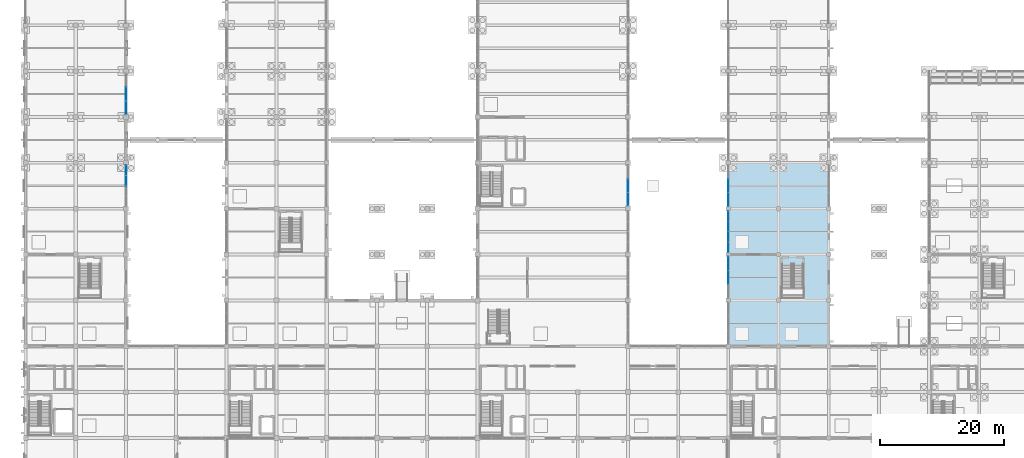
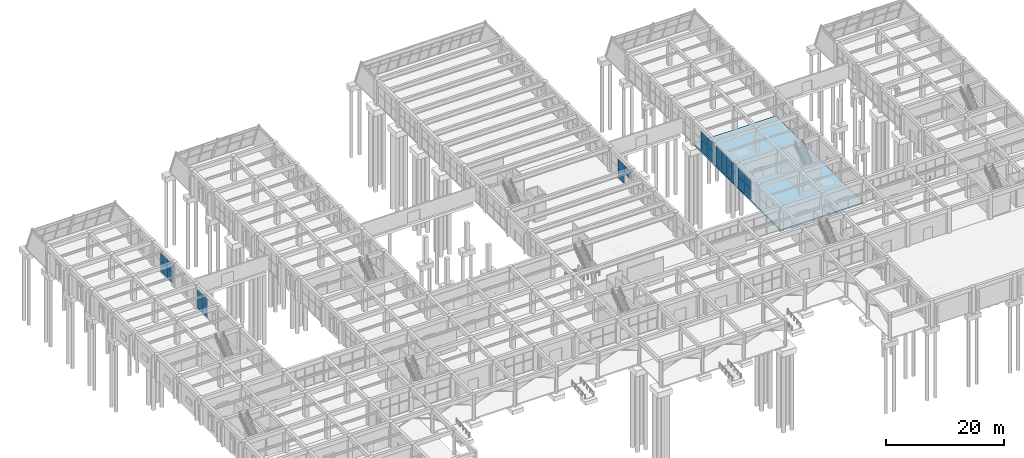
# One storey, part 114 of 140: 27 plates, 1 slab, 6 elements without a shape of their own.
"""IFC4 building model written with IfcOpenShell, lengths in metres."""

from ifc_helpers import new_model, si_unit, direction, frame, origin, origin_2d, place, context, subcontext, project, spatial, polyline, rectangle, outline, extrude, material, layer, layer_set, type_object, element, aggregate, save


model = new_model("IFC4")

# Units and contexts
model_context = context("Model", 3, precision=1e-05, world=origin(), true_north=direction((0.0, 1.0)))
body_context = subcontext(model_context, "Body", "Model", "MODEL_VIEW")
ifc_project = project(units=[si_unit("LENGTHUNIT", "METRE"), si_unit("AREAUNIT", "SQUARE_METRE"), si_unit("VOLUMEUNIT", "CUBIC_METRE"), si_unit("PLANEANGLEUNIT", "RADIAN"), si_unit("MASSUNIT", "GRAM", prefix="KILO")], contexts=[model_context])

# Site, building, storey
site_placement = place(None, origin())
site = spatial("IfcSite", under=ifc_project, at=site_placement, CompositionType="ELEMENT")
building_placement = place(site_placement, origin())
building = spatial("IfcBuilding", under=site, at=building_placement, Name="Cimatlan Art Gallery", CompositionType="ELEMENT")
storey_placement = place(building_placement, origin())
storey = spatial("IfcBuildingStorey", under=building, at=storey_placement, Name="L00", CompositionType="ELEMENT", Elevation=0.0)

# Curtain wall, plates
ifc_material_1 = material(Name="Anodised bronze unitised curtain wall")
curtain_wall_type_1 = type_object("IfcCurtainWallType", Name="CW-V-06642X04195-B4", PredefinedType="NOTDEFINED", material=ifc_material_1)
curtain_wall_1_placement = place(storey_placement, origin())
curtain_wall_1 = element("IfcCurtainWall", 1, at=curtain_wall_1_placement, inside=storey, type_object=curtain_wall_type_1, Name="CW-L00-01-08-E", PredefinedType="NOTDEFINED")
ifc_material_2 = material(Name="Low-E insulated double glazing", Category="glass")
ifc_layer_1 = layer(ifc_material_2, 0.028076171875)
ifc_layer_set_1 = layer_set([ifc_layer_1], Name="Low-E insulated double glazing")
plate_type_1 = type_object("IfcPlateType", Name="PNL-1603X1662", PredefinedType="CURTAIN_PANEL", material=ifc_layer_set_1)
plate_1_placement = place(storey_placement, frame((18.199951171875, 67.0908203125, 2.4111328125), z_axis=(0.0, 0.0, 1.0), x_axis=(0.0, -1.0, 0.0)))
plate_1 = element("IfcPlate", 2, at=plate_1_placement, type_object=plate_type_1, Name="CW-L00-01-08-E-P12", PredefinedType="CURTAIN_PANEL", context=body_context, shape_type="SweptSolid", body=[
    extrude(rectangle(XDim=1.60302734375, YDim=0.028076171875, at=origin_2d()), origin(), (0.0, 0.0, 1.0), 1.662109375),
])
plate_2_placement = place(storey_placement, frame((18.199951171875, 65.43017578125, 2.4111328125), z_axis=(0.0, 0.0, 1.0), x_axis=(0.0, -1.0, 0.0)))
plate_2 = element("IfcPlate", 3, at=plate_2_placement, type_object=plate_type_1, Name="CW-L00-01-08-E-P22", PredefinedType="CURTAIN_PANEL", context=body_context, shape_type="SweptSolid", body=[
    extrude(rectangle(XDim=1.60302734375, YDim=0.028076171875, at=origin_2d()), origin(), (0.0, 0.0, 1.0), 1.662109375),
])
ifc_layer_2 = layer(ifc_material_2, 0.028076171875)
ifc_layer_set_2 = layer_set([ifc_layer_2], Name="Low-E insulated double glazing")
plate_type_2 = type_object("IfcPlateType", Name="PNL-1603X2165", PredefinedType="CURTAIN_PANEL", material=ifc_layer_set_2)
plate_3_placement = place(storey_placement, frame((18.199951171875, 67.0908203125, 0.1220703125), z_axis=(0.0, 0.0, 1.0), x_axis=(0.0, -1.0, 0.0)))
plate_3 = element("IfcPlate", 4, at=plate_3_placement, type_object=plate_type_2, Name="CW-L00-01-08-E-P11", PredefinedType="CURTAIN_PANEL", context=body_context, shape_type="SweptSolid", body=[
    extrude(rectangle(XDim=1.60302734375, YDim=0.028076171875, at=origin_2d()), origin(), (0.0, 0.0, 1.0), 2.1650390625),
])
plate_4_placement = place(storey_placement, frame((18.199951171875, 65.43017578125, 0.1220703125), z_axis=(0.0, 0.0, 1.0), x_axis=(0.0, -1.0, 0.0)))
plate_4 = element("IfcPlate", 5, at=plate_4_placement, type_object=plate_type_2, Name="CW-L00-01-08-E-P21", PredefinedType="CURTAIN_PANEL", context=body_context, shape_type="SweptSolid", body=[
    extrude(rectangle(XDim=1.60302734375, YDim=0.028076171875, at=origin_2d()), origin(), (0.0, 0.0, 1.0), 2.1650390625),
])
aggregate(curtain_wall_1, [plate_3, plate_1, plate_4, plate_2])

curtain_wall_type_2 = type_object("IfcCurtainWallType", Name="CW-V-06692X04305-B4", PredefinedType="NOTDEFINED", material=ifc_material_1)
curtain_wall_2_placement = place(storey_placement, origin())
curtain_wall_2 = element("IfcCurtainWall", 6, at=curtain_wall_2_placement, inside=storey, type_object=curtain_wall_type_2, Name="CW-L00-14-07-W", PredefinedType="NOTDEFINED")
ifc_layer_3 = layer(ifc_material_2, 0.028076171875)
ifc_layer_set_3 = layer_set([ifc_layer_3], Name="Low-E insulated double glazing")
plate_type_3 = type_object("IfcPlateType", Name="PNL-1615X1710", PredefinedType="CURTAIN_PANEL", material=ifc_layer_set_3)
plate_5_placement = place(storey_placement, frame((115.39990234375, 54.6904296875, 2.472900390625), z_axis=(0.0, 0.0, 1.0), x_axis=(0.0, 1.0, 0.0)))
plate_5 = element("IfcPlate", 7, at=plate_5_placement, type_object=plate_type_3, Name="CW-L00-14-07-W-P12", PredefinedType="CURTAIN_PANEL", context=body_context, shape_type="SweptSolid", body=[
    extrude(rectangle(XDim=1.614990234375, YDim=0.028076171875, at=origin_2d()), origin(), (0.0, 0.0, 1.0), 1.7099609375),
])
plate_6_placement = place(storey_placement, frame((115.39990234375, 56.363525390625, 2.472900390625), z_axis=(0.0, 0.0, 1.0), x_axis=(0.0, 1.0, 0.0)))
plate_6 = element("IfcPlate", 8, at=plate_6_placement, type_object=plate_type_3, Name="CW-L00-14-07-W-P22", PredefinedType="CURTAIN_PANEL", context=body_context, shape_type="SweptSolid", body=[
    extrude(rectangle(XDim=1.614990234375, YDim=0.028076171875, at=origin_2d()), origin(), (0.0, 0.0, 1.0), 1.7099609375),
])
plate_7_placement = place(storey_placement, frame((115.39990234375, 58.03662109375, 2.472900390625), z_axis=(0.0, 0.0, 1.0), x_axis=(0.0, 1.0, 0.0)))
plate_7 = element("IfcPlate", 9, at=plate_7_placement, type_object=plate_type_3, Name="CW-L00-14-07-W-P32", PredefinedType="CURTAIN_PANEL", context=body_context, shape_type="SweptSolid", body=[
    extrude(rectangle(XDim=1.614990234375, YDim=0.028076171875, at=origin_2d()), origin(), (0.0, 0.0, 1.0), 1.7099609375),
])
plate_8_placement = place(storey_placement, frame((115.39990234375, 59.70947265625, 2.472900390625), z_axis=(0.0, 0.0, 1.0), x_axis=(0.0, 1.0, 0.0)))
plate_8 = element("IfcPlate", 10, at=plate_8_placement, type_object=plate_type_3, Name="CW-L00-14-07-W-P42", PredefinedType="CURTAIN_PANEL", context=body_context, shape_type="SweptSolid", body=[
    extrude(rectangle(XDim=1.614990234375, YDim=0.028076171875, at=origin_2d()), origin(), (0.0, 0.0, 1.0), 1.7099609375),
])
ifc_layer_4 = layer(ifc_material_2, 0.028076171875)
ifc_layer_set_4 = layer_set([ifc_layer_4], Name="Low-E insulated double glazing")
plate_type_4 = type_object("IfcPlateType", Name="PNL-1615X2227", PredefinedType="CURTAIN_PANEL", material=ifc_layer_set_4)
plate_9_placement = place(storey_placement, frame((115.39990234375, 54.6904296875, 0.121826171875), z_axis=(0.0, 0.0, 1.0), x_axis=(0.0, 1.0, 0.0)))
plate_9 = element("IfcPlate", 11, at=plate_9_placement, type_object=plate_type_4, Name="CW-L00-14-07-W-P11", PredefinedType="CURTAIN_PANEL", context=body_context, shape_type="SweptSolid", body=[
    extrude(rectangle(XDim=1.614990234375, YDim=0.028076171875, at=origin_2d()), origin(), (0.0, 0.0, 1.0), 2.22705078125),
])
plate_10_placement = place(storey_placement, frame((115.39990234375, 56.363525390625, 0.121826171875), z_axis=(0.0, 0.0, 1.0), x_axis=(0.0, 1.0, 0.0)))
plate_10 = element("IfcPlate", 12, at=plate_10_placement, type_object=plate_type_4, Name="CW-L00-14-07-W-P21", PredefinedType="CURTAIN_PANEL", context=body_context, shape_type="SweptSolid", body=[
    extrude(rectangle(XDim=1.614990234375, YDim=0.028076171875, at=origin_2d()), origin(), (0.0, 0.0, 1.0), 2.22705078125),
])
plate_11_placement = place(storey_placement, frame((115.39990234375, 58.03662109375, 0.121826171875), z_axis=(0.0, 0.0, 1.0), x_axis=(0.0, 1.0, 0.0)))
plate_11 = element("IfcPlate", 13, at=plate_11_placement, type_object=plate_type_4, Name="CW-L00-14-07-W-P31", PredefinedType="CURTAIN_PANEL", context=body_context, shape_type="SweptSolid", body=[
    extrude(rectangle(XDim=1.614990234375, YDim=0.028076171875, at=origin_2d()), origin(), (0.0, 0.0, 1.0), 2.22705078125),
])
plate_12_placement = place(storey_placement, frame((115.39990234375, 59.70947265625, 0.121826171875), z_axis=(0.0, 0.0, 1.0), x_axis=(0.0, 1.0, 0.0)))
plate_12 = element("IfcPlate", 14, at=plate_12_placement, type_object=plate_type_4, Name="CW-L00-14-07-W-P41", PredefinedType="CURTAIN_PANEL", context=body_context, shape_type="SweptSolid", body=[
    extrude(rectangle(XDim=1.614990234375, YDim=0.028076171875, at=origin_2d()), origin(), (0.0, 0.0, 1.0), 2.22705078125),
])
aggregate(curtain_wall_2, [plate_9, plate_5, plate_10, plate_6, plate_11, plate_7, plate_12, plate_8])

curtain_wall_type_3 = type_object("IfcCurtainWallType", Name="CW-V-06592X04118-B3", PredefinedType="NOTDEFINED", material=ifc_material_1)
curtain_wall_3_placement = place(storey_placement, origin())
curtain_wall_3 = element("IfcCurtainWall", 15, at=curtain_wall_3_placement, inside=storey, type_object=curtain_wall_type_3, Name="CW-L00-11-08-E", PredefinedType="NOTDEFINED")
ifc_layer_5 = layer(ifc_material_2, 0.028076171875)
ifc_layer_set_5 = layer_set([ifc_layer_5], Name="Low-E insulated double glazing")
plate_type_5 = type_object("IfcPlateType", Name="PNL-2139X1628", PredefinedType="CURTAIN_PANEL", material=ifc_layer_set_5)
plate_13_placement = place(storey_placement, frame((99.199951171875, 64.60009765625, 2.3681640625), z_axis=(0.0, 0.0, 1.0), x_axis=(0.0, -1.0, 0.0)))
plate_13 = element("IfcPlate", 16, at=plate_13_placement, type_object=plate_type_5, Name="CW-L00-11-08-E-P22", PredefinedType="CURTAIN_PANEL", context=body_context, shape_type="SweptSolid", body=[
    extrude(rectangle(XDim=2.138916015625, YDim=0.028076171875, at=origin_2d()), origin(), (0.0, 0.0, 1.0), 1.6279296875),
])
plate_14_placement = place(storey_placement, frame((99.199951171875, 62.402587890625, 2.3681640625), z_axis=(0.0, 0.0, 1.0), x_axis=(0.0, -1.0, 0.0)))
plate_14 = element("IfcPlate", 17, at=plate_14_placement, type_object=plate_type_5, Name="CW-L00-11-08-E-P32", PredefinedType="CURTAIN_PANEL", context=body_context, shape_type="SweptSolid", body=[
    extrude(rectangle(XDim=2.138916015625, YDim=0.028076171875, at=origin_2d()), origin(), (0.0, 0.0, 1.0), 1.6279296875),
])
ifc_layer_6 = layer(ifc_material_2, 0.028076171875)
ifc_layer_set_6 = layer_set([ifc_layer_6], Name="Low-E insulated double glazing")
plate_type_6 = type_object("IfcPlateType", Name="PNL-2139X2122", PredefinedType="CURTAIN_PANEL", material=ifc_layer_set_6)
plate_15_placement = place(storey_placement, frame((99.199951171875, 64.60009765625, 0.1220703125), z_axis=(0.0, 0.0, 1.0), x_axis=(0.0, -1.0, 0.0)))
plate_15 = element("IfcPlate", 18, at=plate_15_placement, type_object=plate_type_6, Name="CW-L00-11-08-E-P21", PredefinedType="CURTAIN_PANEL", context=body_context, shape_type="SweptSolid", body=[
    extrude(rectangle(XDim=2.138916015625, YDim=0.028076171875, at=origin_2d()), origin(), (0.0, 0.0, 1.0), 2.1220703125),
])
aggregate(curtain_wall_3, [plate_15, plate_13, plate_14])

curtain_wall_type_4 = type_object("IfcCurtainWallType", Name="CW-V-06642X04255-B3", PredefinedType="NOTDEFINED", material=ifc_material_1)
curtain_wall_4_placement = place(storey_placement, origin())
curtain_wall_4 = element("IfcCurtainWall", 19, at=curtain_wall_4_placement, inside=storey, type_object=curtain_wall_type_4, Name="CW-L00-01-10-E", PredefinedType="NOTDEFINED")
ifc_layer_7 = layer(ifc_material_2, 0.028076171875)
ifc_layer_set_7 = layer_set([ifc_layer_7], Name="Low-E insulated double glazing")
plate_type_7 = type_object("IfcPlateType", Name="PNL-2156X1688", PredefinedType="CURTAIN_PANEL", material=ifc_layer_set_7)
plate_16_placement = place(storey_placement, frame((18.199951171875, 79.39990234375, 2.44482421875), z_axis=(0.0, 0.0, 1.0), x_axis=(0.0, -1.0, 0.0)))
plate_16 = element("IfcPlate", 20, at=plate_16_placement, type_object=plate_type_7, Name="CW-L00-01-10-E-P22", PredefinedType="CURTAIN_PANEL", context=body_context, shape_type="SweptSolid", body=[
    extrude(rectangle(XDim=2.156005859375, YDim=0.028076171875, at=origin_2d()), origin(), (0.0, 0.0, 1.0), 1.68798828125),
])
plate_17_placement = place(storey_placement, frame((18.199951171875, 77.18603515625, 2.44482421875), z_axis=(0.0, 0.0, 1.0), x_axis=(0.0, -1.0, 0.0)))
plate_17 = element("IfcPlate", 21, at=plate_17_placement, type_object=plate_type_7, Name="CW-L00-01-10-E-P32", PredefinedType="CURTAIN_PANEL", context=body_context, shape_type="SweptSolid", body=[
    extrude(rectangle(XDim=2.156005859375, YDim=0.028076171875, at=origin_2d()), origin(), (0.0, 0.0, 1.0), 1.68798828125),
])
ifc_layer_8 = layer(ifc_material_2, 0.028076171875)
ifc_layer_set_8 = layer_set([ifc_layer_8], Name="Low-E insulated double glazing")
plate_type_8 = type_object("IfcPlateType", Name="PNL-2156X2199", PredefinedType="CURTAIN_PANEL", material=ifc_layer_set_8)
plate_18_placement = place(storey_placement, frame((18.199951171875, 79.39990234375, 0.1220703125), z_axis=(0.0, 0.0, 1.0), x_axis=(0.0, -1.0, 0.0)))
plate_18 = element("IfcPlate", 22, at=plate_18_placement, type_object=plate_type_8, Name="CW-L00-01-10-E-P21", PredefinedType="CURTAIN_PANEL", context=body_context, shape_type="SweptSolid", body=[
    extrude(rectangle(XDim=2.156005859375, YDim=0.028076171875, at=origin_2d()), origin(), (0.0, 0.0, 1.0), 2.198974609375),
])
plate_19_placement = place(storey_placement, frame((18.199951171875, 77.18603515625, 0.1220703125), z_axis=(0.0, 0.0, 1.0), x_axis=(0.0, -1.0, 0.0)))
plate_19 = element("IfcPlate", 23, at=plate_19_placement, type_object=plate_type_8, Name="CW-L00-01-10-E-P31", PredefinedType="CURTAIN_PANEL", context=body_context, shape_type="SweptSolid", body=[
    extrude(rectangle(XDim=2.156005859375, YDim=0.028076171875, at=origin_2d()), origin(), (0.0, 0.0, 1.0), 2.198974609375),
])
aggregate(curtain_wall_4, [plate_18, plate_16, plate_19, plate_17])

curtain_wall_type_5 = type_object("IfcCurtainWallType", Name="CW-V-06692X04290-B3", PredefinedType="NOTDEFINED", material=ifc_material_1)
curtain_wall_5_placement = place(storey_placement, origin())
curtain_wall_5 = element("IfcCurtainWall", 24, at=curtain_wall_5_placement, inside=storey, type_object=curtain_wall_type_5, Name="CW-L00-14-08-W", PredefinedType="NOTDEFINED")
ifc_layer_9 = layer(ifc_material_2, 0.028076171875)
ifc_layer_set_9 = layer_set([ifc_layer_9], Name="Low-E insulated double glazing")
plate_type_9 = type_object("IfcPlateType", Name="PNL-2173X1704", PredefinedType="CURTAIN_PANEL", material=ifc_layer_set_9)
plate_20_placement = place(storey_placement, frame((115.39990234375, 62.369384765625, 2.464111328125), z_axis=(0.0, 0.0, 1.0), x_axis=(0.0, 1.0, 0.0)))
plate_20 = element("IfcPlate", 25, at=plate_20_placement, type_object=plate_type_9, Name="CW-L00-14-08-W-P12", PredefinedType="CURTAIN_PANEL", context=body_context, shape_type="SweptSolid", body=[
    extrude(rectangle(XDim=2.173095703125, YDim=0.028076171875, at=origin_2d()), origin(), (0.0, 0.0, 1.0), 1.7041015625),
])
plate_21_placement = place(storey_placement, frame((115.39990234375, 64.60009765625, 2.464111328125), z_axis=(0.0, 0.0, 1.0), x_axis=(0.0, 1.0, 0.0)))
plate_21 = element("IfcPlate", 26, at=plate_21_placement, type_object=plate_type_9, Name="CW-L00-14-08-W-P22", PredefinedType="CURTAIN_PANEL", context=body_context, shape_type="SweptSolid", body=[
    extrude(rectangle(XDim=2.173095703125, YDim=0.028076171875, at=origin_2d()), origin(), (0.0, 0.0, 1.0), 1.7041015625),
])

curtain_wall_type_6 = type_object("IfcCurtainWallType", Name="CW-V-06692X04320-B3", PredefinedType="NOTDEFINED", material=ifc_material_1)
curtain_wall_6_placement = place(storey_placement, origin())
curtain_wall_6 = element("IfcCurtainWall", 27, at=curtain_wall_6_placement, inside=storey, type_object=curtain_wall_type_6, Name="CW-L00-14-06-W", PredefinedType="NOTDEFINED")
ifc_layer_10 = layer(ifc_material_2, 0.028076171875)
ifc_layer_set_10 = layer_set([ifc_layer_10], Name="Low-E insulated double glazing")
plate_type_10 = type_object("IfcPlateType", Name="PNL-2173X1717", PredefinedType="CURTAIN_PANEL", material=ifc_layer_set_10)
plate_22_placement = place(storey_placement, frame((115.39990234375, 49.800048828125, 2.48095703125), z_axis=(0.0, 0.0, 1.0), x_axis=(0.0, 1.0, 0.0)))
plate_22 = element("IfcPlate", 28, at=plate_22_placement, type_object=plate_type_10, Name="CW-L00-14-06-W-P22", PredefinedType="CURTAIN_PANEL", context=body_context, shape_type="SweptSolid", body=[
    extrude(rectangle(XDim=2.173095703125, YDim=0.028076171875, at=origin_2d()), origin(), (0.0, 0.0, 1.0), 1.717041015625),
])
plate_23_placement = place(storey_placement, frame((115.39990234375, 52.03076171875, 2.48095703125), z_axis=(0.0, 0.0, 1.0), x_axis=(0.0, 1.0, 0.0)))
plate_23 = element("IfcPlate", 29, at=plate_23_placement, type_object=plate_type_10, Name="CW-L00-14-06-W-P32", PredefinedType="CURTAIN_PANEL", context=body_context, shape_type="SweptSolid", body=[
    extrude(rectangle(XDim=2.173095703125, YDim=0.028076171875, at=origin_2d()), origin(), (0.0, 0.0, 1.0), 1.717041015625),
])

# Plate
ifc_layer_11 = layer(ifc_material_2, 0.028076171875)
ifc_layer_set_11 = layer_set([ifc_layer_11], Name="Low-E insulated double glazing")
plate_type_11 = type_object("IfcPlateType", Name="PNL-2173X2218", PredefinedType="CURTAIN_PANEL", material=ifc_layer_set_11)
plate_24_placement = place(storey_placement, frame((115.39990234375, 62.369384765625, 0.1220703125), z_axis=(0.0, 0.0, 1.0), x_axis=(0.0, 1.0, 0.0)))
plate_24 = element("IfcPlate", 30, at=plate_24_placement, type_object=plate_type_11, Name="CW-L00-14-08-W-P11", PredefinedType="CURTAIN_PANEL", context=body_context, shape_type="SweptSolid", body=[
    extrude(rectangle(XDim=2.173095703125, YDim=0.028076171875, at=origin_2d()), origin(), (0.0, 0.0, 1.0), 2.218017578125),
])

plate_25_placement = place(storey_placement, frame((115.39990234375, 64.60009765625, 0.1220703125), z_axis=(0.0, 0.0, 1.0), x_axis=(0.0, 1.0, 0.0)))
plate_25 = element("IfcPlate", 31, at=plate_25_placement, type_object=plate_type_11, Name="CW-L00-14-08-W-P21", PredefinedType="CURTAIN_PANEL", context=body_context, shape_type="SweptSolid", body=[
    extrude(rectangle(XDim=2.173095703125, YDim=0.028076171875, at=origin_2d()), origin(), (0.0, 0.0, 1.0), 2.218017578125),
])

aggregate(curtain_wall_5, [plate_24, plate_20, plate_25, plate_21])

ifc_layer_12 = layer(ifc_material_2, 0.028076171875)
ifc_layer_set_12 = layer_set([ifc_layer_12], Name="Low-E insulated double glazing")
plate_type_12 = type_object("IfcPlateType", Name="PNL-2173X2235", PredefinedType="CURTAIN_PANEL", material=ifc_layer_set_12)
plate_26_placement = place(storey_placement, frame((115.39990234375, 49.800048828125, 0.1220703125), z_axis=(0.0, 0.0, 1.0), x_axis=(0.0, 1.0, 0.0)))
plate_26 = element("IfcPlate", 32, at=plate_26_placement, type_object=plate_type_12, Name="CW-L00-14-06-W-P21", PredefinedType="CURTAIN_PANEL", context=body_context, shape_type="SweptSolid", body=[
    extrude(rectangle(XDim=2.173095703125, YDim=0.028076171875, at=origin_2d()), origin(), (0.0, 0.0, 1.0), 2.235107421875),
])

plate_27_placement = place(storey_placement, frame((115.39990234375, 52.03076171875, 0.1220703125), z_axis=(0.0, 0.0, 1.0), x_axis=(0.0, 1.0, 0.0)))
plate_27 = element("IfcPlate", 33, at=plate_27_placement, type_object=plate_type_12, Name="CW-L00-14-06-W-P31", PredefinedType="CURTAIN_PANEL", context=body_context, shape_type="SweptSolid", body=[
    extrude(rectangle(XDim=2.173095703125, YDim=0.028076171875, at=origin_2d()), origin(), (0.0, 0.0, 1.0), 2.235107421875),
])

aggregate(curtain_wall_6, [plate_26, plate_22, plate_27, plate_23])

# Slab
ifc_material_3 = material(Name="Concrete C35/45", Category="concrete")
ifc_layer_13 = layer(ifc_material_3, 0.280029296875)
ifc_layer_set_13 = layer_set([ifc_layer_13], Name="Concrete C35/45")
slab_type = type_object("IfcSlabType", Name="SLB-FLR-L00", PredefinedType="FLOOR", material=ifc_layer_set_13)
slab_placement = place(storey_placement, frame((0.0, 0.0, -0.280029296875)))
element("IfcSlab", 34, at=slab_placement, inside=storey, type_object=slab_type, Name="SLB-L00-B4S", PredefinedType="FLOOR", context=body_context, shape_type="SweptSolid", body=[
    extrude(outline(polyline([(115.39990234375, 38.699951171875), (131.60009765625, 38.699951171875), (131.60009765625, 68.300048828125), (115.39990234375, 68.300048828125), (115.39990234375, 38.699951171875)])), origin(), (0.0, 0.0, 1.0), 0.280029296875),
])

save(model, "model.ifc")
